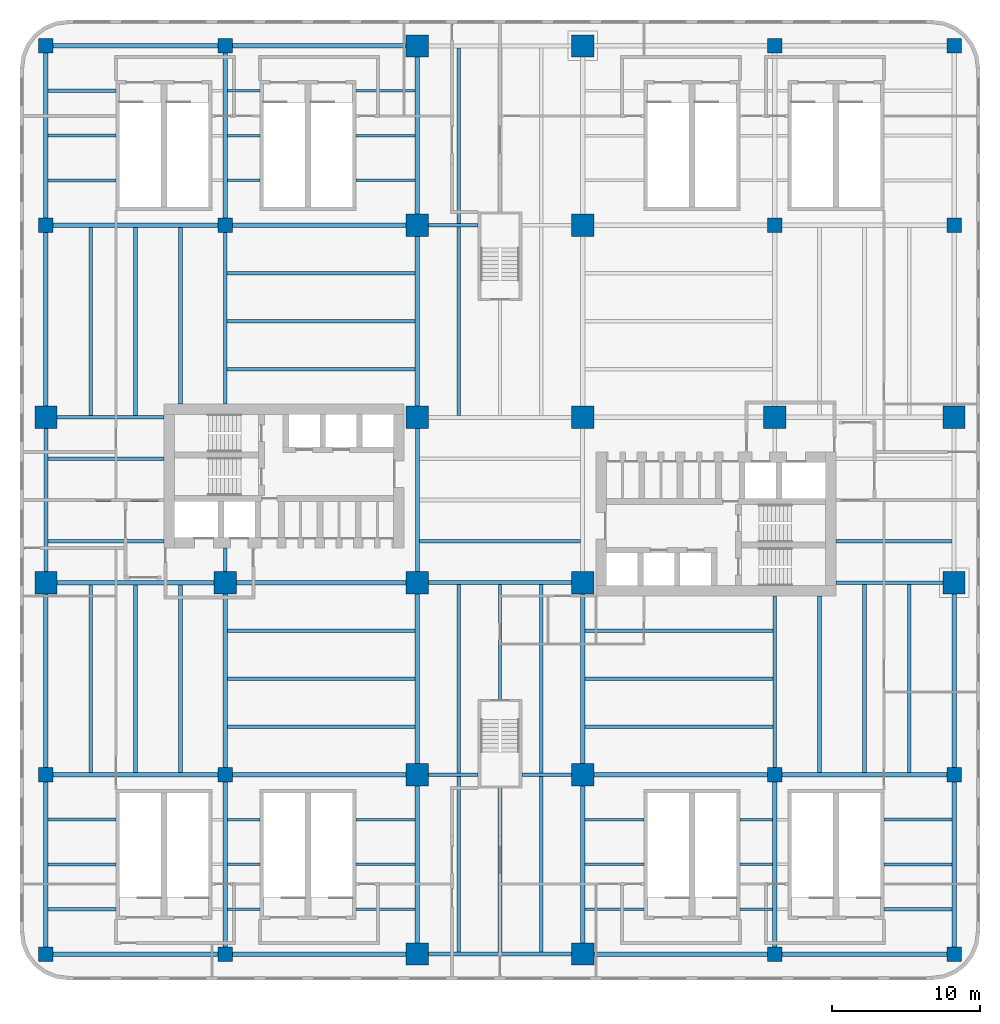
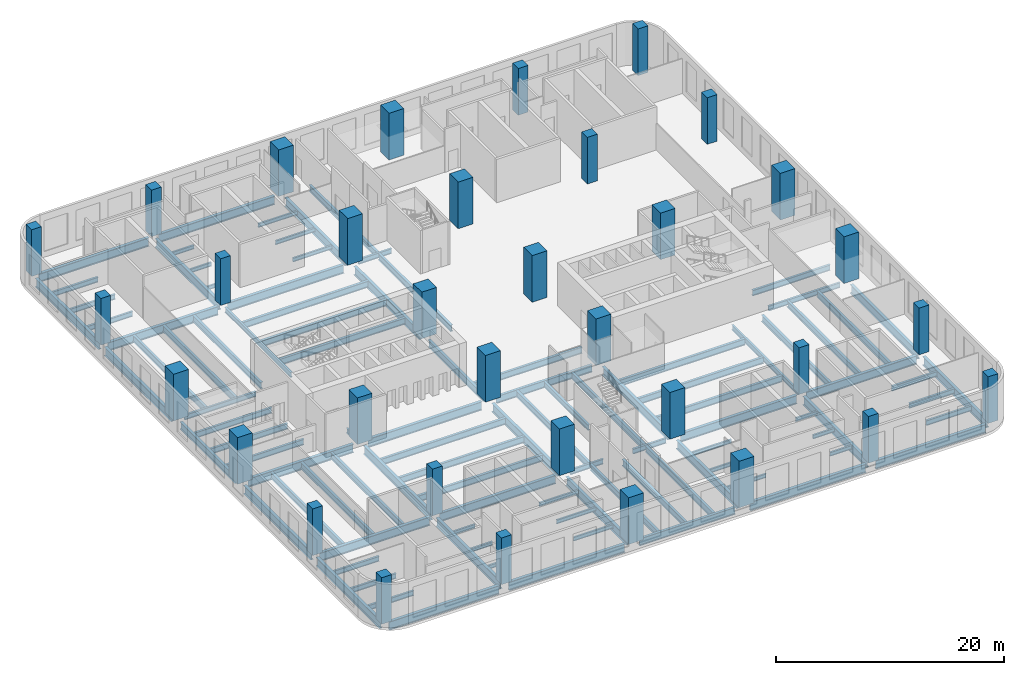
# One storey, part 1 of 13: 100 beams, 34 columns.
"""IFC4 building model written with IfcOpenShell, lengths in metres."""

from ifc_helpers import new_model, si_unit, direction, frame, origin, origin_2d, place, context, subcontext, project, spatial, rectangle, i_section, extrude, source, transform, mapped, material, material_profile, profile_set, type_object, element, save


model = new_model("IFC4")

# Units and contexts
model_context = context("Model", 3, precision=1e-05, world=origin(), true_north=direction((0.0, 1.0)))
body_context = subcontext(model_context, "Body", "Model", "MODEL_VIEW")
ifc_project = project(units=[si_unit("LENGTHUNIT", "METRE"), si_unit("AREAUNIT", "SQUARE_METRE"), si_unit("VOLUMEUNIT", "CUBIC_METRE"), si_unit("PLANEANGLEUNIT", "RADIAN"), si_unit("MASSUNIT", "GRAM", prefix="KILO")], contexts=[model_context])

# Site, building, storey
site_placement = place(None, origin())
site = spatial("IfcSite", under=ifc_project, at=site_placement, CompositionType="ELEMENT")
building_placement = place(site_placement, origin())
building = spatial("IfcBuilding", under=site, at=building_placement, Name="Trellis Farm Tower", CompositionType="ELEMENT")
storey_placement = place(building_placement, frame((0.0, 0.0, 29.0)))
storey = spatial("IfcBuildingStorey", under=building, at=storey_placement, Name="L05", CompositionType="ELEMENT", Elevation=29.0)

# Columns
ifc_material_1 = material(Name="Concrete C80/95", Category="concrete")
ifc_material_profile_1 = material_profile(ifc_material_1, rectangle(XDim=1.5, YDim=1.5, at=origin_2d()), Name="RC column 1500x1500 C80/95")
ifc_profile_set_1 = profile_set([ifc_material_profile_1], Name="Concrete C80/95")
column_type_1 = type_object("IfcColumnType", Name="RC column 1500x1500 C80/95", PredefinedType="COLUMN", material=ifc_profile_set_1)
shared_shape_1 = source(origin(), body_context, "Body", "SweptSolid", [
    extrude(rectangle(XDim=1.5, YDim=1.5, at=origin_2d()), origin(), (0.0, 0.0, 1.0), 5.0),
])
for number, where, z_axis, x_axis, name in (
    (1, (5.60009765625, 5.60009765625, 0.0), (0.0, 0.0, 1.0), (1.0, 0.0, 0.0), "Column"),
    (2, (5.60009765625, 18.60009765625, 0.0), (0.0, 0.0, 1.0), (1.0, 0.0, 0.0), "Column"),
    (3, (5.60009765625, 30.75, 0.0), (0.0, 0.0, 1.0), (1.0, 0.0, 0.0), "Column"),
    (4, (5.60009765625, -5.60009765625, 0.0), (0.0, 0.0, 1.0), (1.0, 0.0, 0.0), "Column"),
    (5, (5.60009765625, -18.60009765625, 0.0), (0.0, 0.0, 1.0), (1.0, 0.0, 0.0), "Column"),
    (6, (5.60009765625, -30.75, 0.0), (0.0, 0.0, 1.0), (1.0, 0.0, 0.0), "Column"),
    (7, (18.60009765625, 5.60009765625, 0.0), (0.0, 0.0, 1.0), (1.0, 0.0, 0.0), "Column"),
    (8, (30.75, 5.60009765625, 0.0), (0.0, 0.0, 1.0), (1.0, 0.0, 0.0), "Column"),
    (9, (30.75, -5.60009765625, 0.0), (0.0, 0.0, 1.0), (1.0, 0.0, 0.0), "Column"),
    (10, (-5.60009765625, 5.60009765625, 0.0), (0.0, 0.0, 1.0), (1.0, 0.0, 0.0), "Column"),
    (11, (-5.60009765625, 18.60009765625, 0.0), (0.0, 0.0, 1.0), (1.0, 0.0, 0.0), "Column"),
    (12, (-5.60009765625, 30.75, 0.0), (0.0, 0.0, 1.0), (1.0, 0.0, 0.0), "Column"),
    (13, (-5.60009765625, -5.60009765625, 0.0), (0.0, 0.0, 1.0), (1.0, 0.0, 0.0), "Column"),
    (14, (-5.60009765625, -18.60009765625, 0.0), (0.0, 0.0, 1.0), (1.0, 0.0, 0.0), "Column"),
    (15, (-5.60009765625, -30.75, 0.0), (0.0, 0.0, 1.0), (1.0, 0.0, 0.0), "Column"),
    (16, (-18.60009765625, -5.60009765625, 0.0), (0.0, 0.0, 1.0), (1.0, 0.0, 0.0), "Column"),
    (17, (-30.75, 5.60009765625, 0.0), (0.0, 0.0, 1.0), (1.0, 0.0, 0.0), "Column"),
    (18, (-30.75, -5.60009765625, 0.0), (0.0, 0.0, 1.0), (1.0, 0.0, 0.0), "Column"),
):
    element("IfcColumn", number, at=place(storey_placement, frame(where, z_axis=z_axis, x_axis=x_axis)), inside=storey, type_object=column_type_1, Name=name, PredefinedType="COLUMN", context=body_context, shape_type="MappedRepresentation", body=[
        mapped(shared_shape_1, transform((0.0, 0.0, 0.0))),
    ])
ifc_material_2 = material(Name="Concrete C60/75", Category="concrete")
ifc_material_profile_2 = material_profile(ifc_material_2, rectangle(XDim=1.0, YDim=1.0, at=origin_2d()), Name="RC column 1000x1000 C60/75")
ifc_profile_set_2 = profile_set([ifc_material_profile_2], Name="Concrete C60/75")
column_type_2 = type_object("IfcColumnType", Name="RC column 1000x1000 C60/75", PredefinedType="COLUMN", material=ifc_profile_set_2)
shared_shape_2 = source(origin(), body_context, "Body", "SweptSolid", [
    extrude(rectangle(XDim=1.0, YDim=1.0, at=origin_2d()), origin(), (0.0, 0.0, 1.0), 5.0),
])
for number, where, z_axis, x_axis, name in (
    (19, (18.60009765625, 18.60009765625, 0.0), (0.0, 0.0, 1.0), (1.0, 0.0, 0.0), "Column"),
    (20, (18.60009765625, 30.75, 0.0), (0.0, 0.0, 1.0), (1.0, 0.0, 0.0), "Column"),
    (21, (18.60009765625, -18.60009765625, 0.0), (0.0, 0.0, 1.0), (1.0, 0.0, 0.0), "Column"),
    (22, (18.60009765625, -30.75, 0.0), (0.0, 0.0, 1.0), (1.0, 0.0, 0.0), "Column"),
    (23, (30.75, 18.60009765625, 0.0), (0.0, 0.0, 1.0), (1.0, 0.0, 0.0), "Column"),
    (24, (30.75, 30.75, 0.0), (0.0, 0.0, 1.0), (1.0, 0.0, 0.0), "Column"),
    (25, (30.75, -18.60009765625, 0.0), (0.0, 0.0, 1.0), (1.0, 0.0, 0.0), "Column"),
    (26, (30.75, -30.75, 0.0), (0.0, 0.0, 1.0), (1.0, 0.0, 0.0), "Column"),
    (27, (-18.60009765625, 18.60009765625, 0.0), (0.0, 0.0, 1.0), (1.0, 0.0, 0.0), "Column"),
    (28, (-18.60009765625, 30.75, 0.0), (0.0, 0.0, 1.0), (1.0, 0.0, 0.0), "Column"),
    (29, (-18.60009765625, -18.60009765625, 0.0), (0.0, 0.0, 1.0), (1.0, 0.0, 0.0), "Column"),
    (30, (-18.60009765625, -30.75, 0.0), (0.0, 0.0, 1.0), (1.0, 0.0, 0.0), "Column"),
    (31, (-30.75, 18.60009765625, 0.0), (0.0, 0.0, 1.0), (1.0, 0.0, 0.0), "Column"),
    (32, (-30.75, 30.75, 0.0), (0.0, 0.0, 1.0), (1.0, 0.0, 0.0), "Column"),
    (33, (-30.75, -18.60009765625, 0.0), (0.0, 0.0, 1.0), (1.0, 0.0, 0.0), "Column"),
    (34, (-30.75, -30.75, 0.0), (0.0, 0.0, 1.0), (1.0, 0.0, 0.0), "Column"),
):
    element("IfcColumn", number, at=place(storey_placement, frame(where, z_axis=z_axis, x_axis=x_axis)), inside=storey, type_object=column_type_2, Name=name, PredefinedType="COLUMN", context=body_context, shape_type="MappedRepresentation", body=[
        mapped(shared_shape_2, transform((0.0, 0.0, 0.0))),
    ])

# Beams
ifc_material_3 = material(Name="Steel S355", Category="steel")
ifc_material_profile_3 = material_profile(ifc_material_3, i_section(OverallWidth=0.253662109375, OverallDepth=0.68359375, WebThickness=0.012451171875, FlangeThickness=0.021728515625, FilletRadius=0.01513671875, at=origin_2d()), Name="UB 686x254x140")
ifc_profile_set_3 = profile_set([ifc_material_profile_3], Name="Steel S355")
beam_type_1 = type_object("IfcBeamType", Name="UB 686x254x140 joist", PredefinedType="JOIST", material=ifc_profile_set_3)
shared_shape_3 = source(origin(), body_context, "Body", "SweptSolid", [
    extrude(i_section(OverallWidth=0.253662109375, OverallDepth=0.68359375, WebThickness=0.012451171875, FlangeThickness=0.021728515625, FilletRadius=0.01513671875, at=origin_2d()), origin(), (0.0, 0.0, 1.0), 12.694580078125),
])
for number, where, z_axis, x_axis, name in (
    (35, (-18.447265625, -15.35009765625, -0.641845703125), (1.0, 0.0, 0.0), (0.0, 1.0, 0.0), "Floor beam"),
    (36, (-18.447265625, -12.10009765625, -0.641845703125), (1.0, 0.0, 0.0), (0.0, 1.0, 0.0), "Floor beam"),
    (37, (-18.447265625, -8.85009765625, -0.641845703125), (1.0, 0.0, 0.0), (0.0, 1.0, 0.0), "Floor beam"),
    (38, (-27.71240234375, -18.447265625, -0.641845703125), (0.0, 1.0, 0.0), (-1.0, 0.0, 0.0), "Floor beam"),
    (39, (-24.675048828125, -18.447265625, -0.641845703125), (0.0, 1.0, 0.0), (-1.0, 0.0, 0.0), "Floor beam"),
    (40, (-21.637451171875, -18.447265625, -0.641845703125), (0.0, 1.0, 0.0), (-1.0, 0.0, 0.0), "Floor beam"),
):
    element("IfcBeam", number, at=place(storey_placement, frame(where, z_axis=z_axis, x_axis=x_axis)), inside=storey, type_object=beam_type_1, Name=name, PredefinedType="JOIST", context=body_context, shape_type="MappedRepresentation", body=[
        mapped(shared_shape_3, transform((0.0, 0.0, 0.0))),
    ])
ifc_material_profile_4 = material_profile(ifc_material_3, i_section(OverallWidth=0.2275390625, OverallDepth=0.6025390625, WebThickness=0.010498046875, FlangeThickness=0.014892578125, FilletRadius=0.0126953125, at=origin_2d()), Name="UB 610x229x101")
ifc_profile_set_4 = profile_set([ifc_material_profile_4], Name="Steel S355")
beam_type_2 = type_object("IfcBeamType", Name="UB 610x229x101 joist", PredefinedType="JOIST", material=ifc_profile_set_4)
shared_shape_4 = source(origin(), body_context, "Body", "SweptSolid", [
    extrude(i_section(OverallWidth=0.2275390625, OverallDepth=0.6025390625, WebThickness=0.010498046875, FlangeThickness=0.014892578125, FilletRadius=0.0126953125, at=origin_2d()), origin(), (0.0, 0.0, 1.0), 7.86669921875),
])
for number, where, z_axis, x_axis, name in (
    (41, (-30.61669921875, -2.800048828125, -0.601318359375), (1.0, 0.0, 0.0), (0.0, 1.0, 0.0), "Floor beam"),
    (42, (22.75, -2.800048828125, -0.601318359375), (1.0, 0.0, 0.0), (0.0, 1.0, 0.0), "Floor beam"),
    (43, (-30.61669921875, 0.0, -0.601318359375), (1.0, 0.0, 0.0), (0.0, 1.0, 0.0), "Floor beam"),
    (44, (-30.61669921875, 2.800048828125, -0.601318359375), (1.0, 0.0, 0.0), (0.0, 1.0, 0.0), "Floor beam"),
):
    element("IfcBeam", number, at=place(storey_placement, frame(where, z_axis=z_axis, x_axis=x_axis)), inside=storey, type_object=beam_type_2, Name=name, PredefinedType="JOIST", context=body_context, shape_type="MappedRepresentation", body=[
        mapped(shared_shape_4, transform((0.0, 0.0, 0.0))),
    ])
shared_shape_5 = source(origin(), body_context, "Body", "SweptSolid", [
    extrude(i_section(OverallWidth=0.253662109375, OverallDepth=0.68359375, WebThickness=0.012451171875, FlangeThickness=0.021728515625, FilletRadius=0.01513671875, at=origin_2d()), origin(), (0.0, 0.0, 1.0), 10.93310546875),
])
beam_1_placement = place(storey_placement, frame((-5.466552734375, -2.800048828125, -0.641845703125), z_axis=(1.0, 0.0, 0.0), x_axis=(0.0, 1.0, 0.0)))
element("IfcBeam", 45, at=beam_1_placement, inside=storey, type_object=beam_type_1, Name="Floor beam", PredefinedType="JOIST", context=body_context, shape_type="MappedRepresentation", body=[
    mapped(shared_shape_5, transform((0.0, 0.0, 0.0))),
])
shared_shape_6 = source(origin(), body_context, "Body", "SweptSolid", [
    extrude(i_section(OverallWidth=0.2275390625, OverallDepth=0.6025390625, WebThickness=0.010498046875, FlangeThickness=0.014892578125, FilletRadius=0.0126953125, at=origin_2d()), origin(), (0.0, 0.0, 1.0), 7.7666015625),
])
beam_2_placement = place(storey_placement, frame((0.0, -13.5, -0.601318359375), z_axis=(0.0, 1.0, 0.0), x_axis=(-1.0, 0.0, 0.0)))
element("IfcBeam", 46, at=beam_2_placement, inside=storey, type_object=beam_type_2, Name="Floor beam", PredefinedType="JOIST", context=body_context, shape_type="MappedRepresentation", body=[
    mapped(shared_shape_6, transform((0.0, 0.0, 0.0))),
])
shared_shape_7 = source(origin(), body_context, "Body", "SweptSolid", [
    extrude(i_section(OverallWidth=0.253662109375, OverallDepth=0.68359375, WebThickness=0.012451171875, FlangeThickness=0.021728515625, FilletRadius=0.01513671875, at=origin_2d()), origin(), (0.0, 0.0, 1.0), 11.11669921875),
])
beam_3_placement = place(storey_placement, frame((0.0, -30.61669921875, -0.641845703125), z_axis=(0.0, 1.0, 0.0), x_axis=(-1.0, 0.0, 0.0)))
element("IfcBeam", 47, at=beam_3_placement, inside=storey, type_object=beam_type_1, Name="Floor beam", PredefinedType="JOIST", context=body_context, shape_type="MappedRepresentation", body=[
    mapped(shared_shape_7, transform((0.0, 0.0, 0.0))),
])
ifc_material_profile_5 = material_profile(ifc_material_3, i_section(OverallWidth=0.177978515625, OverallDepth=0.406494140625, WebThickness=0.0078125, FlangeThickness=0.0126953125, FilletRadius=0.01025390625, at=origin_2d()), Name="UB 406x178x60")
ifc_profile_set_5 = profile_set([ifc_material_profile_5], Name="Steel S355")
beam_type_3 = type_object("IfcBeamType", Name="UB 406x178x60 joist", PredefinedType="JOIST", material=ifc_profile_set_5)
shared_shape_8 = source(origin(), body_context, "Body", "SweptSolid", [
    extrude(i_section(OverallWidth=0.177978515625, OverallDepth=0.406494140625, WebThickness=0.0078125, FlangeThickness=0.0126953125, FilletRadius=0.01025390625, at=origin_2d()), origin(), (0.0, 0.0, 1.0), 2.197265625),
])
for number, where, z_axis, x_axis, name in (
    (48, (-18.447265625, -27.71240234375, -0.503173828125), (1.0, 0.0, 0.0), (0.0, 1.0, 0.0), "Floor beam"),
    (49, (16.25, -27.71240234375, -0.503173828125), (1.0, 0.0, 0.0), (0.0, 1.0, 0.0), "Floor beam"),
    (50, (-18.447265625, -24.675048828125, -0.503173828125), (1.0, 0.0, 0.0), (0.0, 1.0, 0.0), "Floor beam"),
    (51, (16.25, -24.675048828125, -0.503173828125), (1.0, 0.0, 0.0), (0.0, 1.0, 0.0), "Floor beam"),
    (52, (-18.447265625, -21.637451171875, -0.503173828125), (1.0, 0.0, 0.0), (0.0, 1.0, 0.0), "Floor beam"),
    (53, (16.25, -21.637451171875, -0.503173828125), (1.0, 0.0, 0.0), (0.0, 1.0, 0.0), "Floor beam"),
    (54, (-18.447265625, 21.637451171875, -0.503173828125), (1.0, 0.0, 0.0), (0.0, 1.0, 0.0), "Floor beam"),
    (55, (-18.447265625, 24.675048828125, -0.503173828125), (1.0, 0.0, 0.0), (0.0, 1.0, 0.0), "Floor beam"),
    (56, (-18.447265625, 27.71240234375, -0.503173828125), (1.0, 0.0, 0.0), (0.0, 1.0, 0.0), "Floor beam"),
):
    element("IfcBeam", number, at=place(storey_placement, frame(where, z_axis=z_axis, x_axis=x_axis)), inside=storey, type_object=beam_type_3, Name=name, PredefinedType="JOIST", context=body_context, shape_type="MappedRepresentation", body=[
        mapped(shared_shape_8, transform((0.0, 0.0, 0.0))),
    ])
ifc_material_profile_6 = material_profile(ifc_material_3, i_section(OverallWidth=0.209228515625, OverallDepth=0.533203125, WebThickness=0.010009765625, FlangeThickness=0.015625, FilletRadius=0.0126953125, at=origin_2d()), Name="UB 533x210x92")
ifc_profile_set_6 = profile_set([ifc_material_profile_6], Name="Steel S355")
beam_type_4 = type_object("IfcBeamType", Name="UB 533x210x92 joist", PredefinedType="JOIST", material=ifc_profile_set_6)
shared_shape_9 = source(origin(), body_context, "Body", "SweptSolid", [
    extrude(i_section(OverallWidth=0.209228515625, OverallDepth=0.533203125, WebThickness=0.010009765625, FlangeThickness=0.015625, FilletRadius=0.0126953125, at=origin_2d()), origin(), (0.0, 0.0, 1.0), 4.59716796875),
])
for number, where, z_axis, x_axis, name in (
    (57, (-30.59716796875, -27.71240234375, -0.56640625), (1.0, 0.0, 0.0), (0.0, 1.0, 0.0), "Floor beam"),
    (58, (26.0, -27.71240234375, -0.56640625), (1.0, 0.0, 0.0), (0.0, 1.0, 0.0), "Floor beam"),
    (59, (-30.59716796875, -24.675048828125, -0.56640625), (1.0, 0.0, 0.0), (0.0, 1.0, 0.0), "Floor beam"),
    (60, (26.0, -24.675048828125, -0.56640625), (1.0, 0.0, 0.0), (0.0, 1.0, 0.0), "Floor beam"),
    (61, (-30.59716796875, -21.637451171875, -0.56640625), (1.0, 0.0, 0.0), (0.0, 1.0, 0.0), "Floor beam"),
    (62, (26.0, -21.637451171875, -0.56640625), (1.0, 0.0, 0.0), (0.0, 1.0, 0.0), "Floor beam"),
    (63, (-30.59716796875, 21.637451171875, -0.56640625), (1.0, 0.0, 0.0), (0.0, 1.0, 0.0), "Floor beam"),
    (64, (-30.59716796875, 24.675048828125, -0.56640625), (1.0, 0.0, 0.0), (0.0, 1.0, 0.0), "Floor beam"),
    (65, (-30.59716796875, 27.71240234375, -0.56640625), (1.0, 0.0, 0.0), (0.0, 1.0, 0.0), "Floor beam"),
):
    element("IfcBeam", number, at=place(storey_placement, frame(where, z_axis=z_axis, x_axis=x_axis)), inside=storey, type_object=beam_type_4, Name=name, PredefinedType="JOIST", context=body_context, shape_type="MappedRepresentation", body=[
        mapped(shared_shape_9, transform((0.0, 0.0, 0.0))),
    ])
shared_shape_10 = source(origin(), body_context, "Body", "SweptSolid", [
    extrude(i_section(OverallWidth=0.253662109375, OverallDepth=0.68359375, WebThickness=0.012451171875, FlangeThickness=0.021728515625, FilletRadius=0.01513671875, at=origin_2d()), origin(), (0.0, 0.0, 1.0), 12.74267578125),
])
for number, where, z_axis, x_axis, name in (
    (66, (5.752685546875, -15.35009765625, -0.641845703125), (1.0, 0.0, 0.0), (0.0, 1.0, 0.0), "Floor beam"),
    (67, (5.752685546875, -12.10009765625, -0.641845703125), (1.0, 0.0, 0.0), (0.0, 1.0, 0.0), "Floor beam"),
    (68, (5.752685546875, -8.85009765625, -0.641845703125), (1.0, 0.0, 0.0), (0.0, 1.0, 0.0), "Floor beam"),
    (69, (-18.495361328125, 8.85009765625, -0.641845703125), (1.0, 0.0, 0.0), (0.0, 1.0, 0.0), "Floor beam"),
    (70, (-18.495361328125, 12.10009765625, -0.641845703125), (1.0, 0.0, 0.0), (0.0, 1.0, 0.0), "Floor beam"),
    (71, (-18.495361328125, 15.35009765625, -0.641845703125), (1.0, 0.0, 0.0), (0.0, 1.0, 0.0), "Floor beam"),
    (72, (-27.71240234375, 5.70458984375, -0.641845703125), (0.0, 1.0, 0.0), (-1.0, 0.0, 0.0), "Floor beam"),
    (73, (-24.675048828125, 5.70458984375, -0.641845703125), (0.0, 1.0, 0.0), (-1.0, 0.0, 0.0), "Floor beam"),
    (74, (24.675048828125, -18.447265625, -0.641845703125), (0.0, 1.0, 0.0), (-1.0, 0.0, 0.0), "Floor beam"),
    (75, (27.71240234375, -18.447265625, -0.641845703125), (0.0, 1.0, 0.0), (-1.0, 0.0, 0.0), "Floor beam"),
):
    element("IfcBeam", number, at=place(storey_placement, frame(where, z_axis=z_axis, x_axis=x_axis)), inside=storey, type_object=beam_type_1, Name=name, PredefinedType="JOIST", context=body_context, shape_type="MappedRepresentation", body=[
        mapped(shared_shape_10, transform((0.0, 0.0, 0.0))),
    ])
shared_shape_11 = source(origin(), body_context, "Body", "SweptSolid", [
    extrude(i_section(OverallWidth=0.253662109375, OverallDepth=0.68359375, WebThickness=0.012451171875, FlangeThickness=0.021728515625, FilletRadius=0.01513671875, at=origin_2d()), origin(), (0.0, 0.0, 1.0), 12.761962890625),
])
for number, where, z_axis, x_axis, name in (
    (76, (-2.800048828125, -18.495361328125, -0.641845703125), (0.0, 1.0, 0.0), (-1.0, 0.0, 0.0), "Floor beam"),
    (77, (-2.800048828125, 5.7333984375, -0.641845703125), (0.0, 1.0, 0.0), (-1.0, 0.0, 0.0), "Floor beam"),
    (78, (2.800048828125, -18.495361328125, -0.641845703125), (0.0, 1.0, 0.0), (-1.0, 0.0, 0.0), "Floor beam"),
):
    element("IfcBeam", number, at=place(storey_placement, frame(where, z_axis=z_axis, x_axis=x_axis)), inside=storey, type_object=beam_type_1, Name=name, PredefinedType="JOIST", context=body_context, shape_type="MappedRepresentation", body=[
        mapped(shared_shape_11, transform((0.0, 0.0, 0.0))),
    ])
shared_shape_12 = source(origin(), body_context, "Body", "SweptSolid", [
    extrude(i_section(OverallWidth=0.253662109375, OverallDepth=0.68359375, WebThickness=0.012451171875, FlangeThickness=0.021728515625, FilletRadius=0.01513671875, at=origin_2d()), origin(), (0.0, 0.0, 1.0), 11.912109375),
])
for number, where, z_axis, x_axis, name in (
    (79, (-2.800048828125, -30.61669921875, -0.641845703125), (0.0, 1.0, 0.0), (-1.0, 0.0, 0.0), "Floor beam"),
    (80, (-2.800048828125, 18.70458984375, -0.641845703125), (0.0, 1.0, 0.0), (-1.0, 0.0, 0.0), "Floor beam"),
    (81, (2.800048828125, -30.61669921875, -0.641845703125), (0.0, 1.0, 0.0), (-1.0, 0.0, 0.0), "Floor beam"),
):
    element("IfcBeam", number, at=place(storey_placement, frame(where, z_axis=z_axis, x_axis=x_axis)), inside=storey, type_object=beam_type_1, Name=name, PredefinedType="JOIST", context=body_context, shape_type="MappedRepresentation", body=[
        mapped(shared_shape_12, transform((0.0, 0.0, 0.0))),
    ])
shared_shape_13 = source(origin(), body_context, "Body", "SweptSolid", [
    extrude(i_section(OverallWidth=0.253662109375, OverallDepth=0.68359375, WebThickness=0.012451171875, FlangeThickness=0.021728515625, FilletRadius=0.01513671875, at=origin_2d()), origin(), (0.0, 0.0, 1.0), 11.947265625),
])
for number, where, z_axis, x_axis, name in (
    (82, (-21.637451171875, 6.5, -0.641845703125), (0.0, 1.0, 0.0), (-1.0, 0.0, 0.0), "Floor beam"),
    (83, (21.637451171875, -18.447265625, -0.641845703125), (0.0, 1.0, 0.0), (-1.0, 0.0, 0.0), "Floor beam"),
):
    element("IfcBeam", number, at=place(storey_placement, frame(where, z_axis=z_axis, x_axis=x_axis)), inside=storey, type_object=beam_type_1, Name=name, PredefinedType="JOIST", context=body_context, shape_type="MappedRepresentation", body=[
        mapped(shared_shape_13, transform((0.0, 0.0, 0.0))),
    ])
ifc_material_profile_7 = material_profile(ifc_material_3, i_section(OverallWidth=0.209228515625, OverallDepth=0.533203125, WebThickness=0.010009765625, FlangeThickness=0.015625, FilletRadius=0.0126953125, at=origin_2d()), Name="UB 533x210x92")
ifc_profile_set_7 = profile_set([ifc_material_profile_7], Name="Steel S355")
beam_type_5 = type_object("IfcBeamType", Name="UB 533x210x92", PredefinedType="BEAM", material=ifc_profile_set_7)
shared_shape_14 = source(origin(), body_context, "Body", "SweptSolid", [
    extrude(i_section(OverallWidth=0.209228515625, OverallDepth=0.533203125, WebThickness=0.010009765625, FlangeThickness=0.015625, FilletRadius=0.0126953125, at=origin_2d()), origin(), (0.0, 0.0, 1.0), 3.35009765625),
])
for number, where, z_axis, x_axis, name in (
    (84, (-4.85009765625, -18.60009765625, -0.56640625), (1.0, 0.0, 0.0), (0.0, 1.0, 0.0), "Girder"),
    (85, (1.5, -18.60009765625, -0.56640625), (1.0, 0.0, 0.0), (0.0, 1.0, 0.0), "Girder"),
    (86, (-4.85009765625, 18.60009765625, -0.56640625), (1.0, 0.0, 0.0), (0.0, 1.0, 0.0), "Girder"),
):
    element("IfcBeam", number, at=place(storey_placement, frame(where, z_axis=z_axis, x_axis=x_axis)), inside=storey, type_object=beam_type_5, Name=name, PredefinedType="BEAM", context=body_context, shape_type="MappedRepresentation", body=[
        mapped(shared_shape_14, transform((0.0, 0.0, 0.0))),
    ])
ifc_material_profile_8 = material_profile(ifc_material_3, i_section(OverallWidth=0.2666015625, OverallDepth=0.76220703125, WebThickness=0.014404296875, FlangeThickness=0.021484375, FilletRadius=0.0166015625, at=origin_2d()), Name="UB 762x267x173")
ifc_profile_set_8 = profile_set([ifc_material_profile_8], Name="Steel S355")
beam_type_6 = type_object("IfcBeamType", Name="UB 762x267x173", PredefinedType="BEAM", material=ifc_profile_set_8)
shared_shape_15 = source(origin(), body_context, "Body", "SweptSolid", [
    extrude(i_section(OverallWidth=0.2666015625, OverallDepth=0.76220703125, WebThickness=0.014404296875, FlangeThickness=0.021484375, FilletRadius=0.0166015625, at=origin_2d()), origin(), (0.0, 0.0, 1.0), 9.7001953125),
])
for number, where, z_axis, x_axis, name in (
    (87, (-4.85009765625, -30.75, -0.68115234375), (1.0, 0.0, 0.0), (0.0, 1.0, 0.0), "Girder"),
    (88, (-4.85009765625, -5.60009765625, -0.68115234375), (1.0, 0.0, 0.0), (0.0, 1.0, 0.0), "Girder"),
    (89, (-30.75, -4.85009765625, -0.68115234375), (0.0, 1.0, 0.0), (-1.0, 0.0, 0.0), "Girder"),
    (90, (-5.60009765625, -4.85009765625, -0.68115234375), (0.0, 1.0, 0.0), (-1.0, 0.0, 0.0), "Girder"),
):
    element("IfcBeam", number, at=place(storey_placement, frame(where, z_axis=z_axis, x_axis=x_axis)), inside=storey, type_object=beam_type_6, Name=name, PredefinedType="BEAM", context=body_context, shape_type="MappedRepresentation", body=[
        mapped(shared_shape_15, transform((0.0, 0.0, 0.0))),
    ])
shared_shape_16 = source(origin(), body_context, "Body", "SweptSolid", [
    extrude(i_section(OverallWidth=0.209228515625, OverallDepth=0.533203125, WebThickness=0.010009765625, FlangeThickness=0.015625, FilletRadius=0.0126953125, at=origin_2d()), origin(), (0.0, 0.0, 1.0), 7.25),
])
for number, where, z_axis, x_axis, name in (
    (91, (22.75, -5.60009765625, -0.56640625), (1.0, 0.0, 0.0), (0.0, 1.0, 0.0), "Girder"),
    (92, (-30.0, 5.60009765625, -0.56640625), (1.0, 0.0, 0.0), (0.0, 1.0, 0.0), "Girder"),
):
    element("IfcBeam", number, at=place(storey_placement, frame(where, z_axis=z_axis, x_axis=x_axis)), inside=storey, type_object=beam_type_5, Name=name, PredefinedType="BEAM", context=body_context, shape_type="MappedRepresentation", body=[
        mapped(shared_shape_16, transform((0.0, 0.0, 0.0))),
    ])
ifc_material_profile_9 = material_profile(ifc_material_3, i_section(OverallWidth=0.305419921875, OverallDepth=0.91845703125, WebThickness=0.017333984375, FlangeThickness=0.02783203125, FilletRadius=0.01904296875, at=origin_2d()), Name="UB 914x305x253")
ifc_profile_set_9 = profile_set([ifc_material_profile_9], Name="Steel S355")
beam_type_7 = type_object("IfcBeamType", Name="UB 914x305x253", PredefinedType="BEAM", material=ifc_profile_set_9)
shared_shape_17 = source(origin(), body_context, "Body", "SweptSolid", [
    extrude(i_section(OverallWidth=0.305419921875, OverallDepth=0.91845703125, WebThickness=0.017333984375, FlangeThickness=0.02783203125, FilletRadius=0.01904296875, at=origin_2d()), origin(), (0.0, 0.0, 1.0), 11.5),
])
for number, where, z_axis, x_axis, name in (
    (93, (-17.85009765625, -5.60009765625, -0.75927734375), (1.0, 0.0, 0.0), (0.0, 1.0, 0.0), "Girder"),
    (94, (-5.60009765625, -17.85009765625, -0.75927734375), (0.0, 1.0, 0.0), (-1.0, 0.0, 0.0), "Girder"),
    (95, (-5.60009765625, 6.35009765625, -0.75927734375), (0.0, 1.0, 0.0), (-1.0, 0.0, 0.0), "Girder"),
    (96, (5.60009765625, -17.85009765625, -0.75927734375), (0.0, 1.0, 0.0), (-1.0, 0.0, 0.0), "Girder"),
):
    element("IfcBeam", number, at=place(storey_placement, frame(where, z_axis=z_axis, x_axis=x_axis)), inside=storey, type_object=beam_type_7, Name=name, PredefinedType="BEAM", context=body_context, shape_type="MappedRepresentation", body=[
        mapped(shared_shape_17, transform((0.0, 0.0, 0.0))),
    ])
shared_shape_18 = source(origin(), body_context, "Body", "SweptSolid", [
    extrude(i_section(OverallWidth=0.305419921875, OverallDepth=0.91845703125, WebThickness=0.017333984375, FlangeThickness=0.02783203125, FilletRadius=0.01904296875, at=origin_2d()), origin(), (0.0, 0.0, 1.0), 10.64990234375),
])
for number, where, z_axis, x_axis, name in (
    (97, (-30.0, -5.60009765625, -0.75927734375), (1.0, 0.0, 0.0), (0.0, 1.0, 0.0), "Girder"),
    (98, (-5.60009765625, -30.0, -0.75927734375), (0.0, 1.0, 0.0), (-1.0, 0.0, 0.0), "Girder"),
    (99, (-5.60009765625, 19.35009765625, -0.75927734375), (0.0, 1.0, 0.0), (-1.0, 0.0, 0.0), "Girder"),
    (100, (5.60009765625, -30.0, -0.75927734375), (0.0, 1.0, 0.0), (-1.0, 0.0, 0.0), "Girder"),
):
    element("IfcBeam", number, at=place(storey_placement, frame(where, z_axis=z_axis, x_axis=x_axis)), inside=storey, type_object=beam_type_7, Name=name, PredefinedType="BEAM", context=body_context, shape_type="MappedRepresentation", body=[
        mapped(shared_shape_18, transform((0.0, 0.0, 0.0))),
    ])
shared_shape_19 = source(origin(), body_context, "Body", "SweptSolid", [
    extrude(i_section(OverallWidth=0.209228515625, OverallDepth=0.533203125, WebThickness=0.010009765625, FlangeThickness=0.015625, FilletRadius=0.0126953125, at=origin_2d()), origin(), (0.0, 0.0, 1.0), 1.60009765625),
])
beam_4_placement = place(storey_placement, frame((-18.60009765625, -4.85009765625, -0.56640625), z_axis=(0.0, 1.0, 0.0), x_axis=(-1.0, 0.0, 0.0)))
element("IfcBeam", 101, at=beam_4_placement, inside=storey, type_object=beam_type_5, Name="Girder", PredefinedType="BEAM", context=body_context, shape_type="MappedRepresentation", body=[
    mapped(shared_shape_19, transform((0.0, 0.0, 0.0))),
])
shared_shape_20 = source(origin(), body_context, "Body", "SweptSolid", [
    extrude(i_section(OverallWidth=0.177978515625, OverallDepth=0.406494140625, WebThickness=0.0078125, FlangeThickness=0.0126953125, FilletRadius=0.01025390625, at=origin_2d()), origin(), (0.0, 0.0, 1.0), 3.997314453125),
])
for number, where, z_axis, x_axis, name in (
    (102, (-9.75, -27.71240234375, -0.503173828125), (1.0, 0.0, 0.0), (0.0, 1.0, 0.0), "Floor beam"),
    (103, (5.752685546875, -27.71240234375, -0.503173828125), (1.0, 0.0, 0.0), (0.0, 1.0, 0.0), "Floor beam"),
    (104, (-9.75, -24.675048828125, -0.503173828125), (1.0, 0.0, 0.0), (0.0, 1.0, 0.0), "Floor beam"),
    (105, (5.752685546875, -24.675048828125, -0.503173828125), (1.0, 0.0, 0.0), (0.0, 1.0, 0.0), "Floor beam"),
    (106, (-9.75, -21.637451171875, -0.503173828125), (1.0, 0.0, 0.0), (0.0, 1.0, 0.0), "Floor beam"),
    (107, (5.752685546875, -21.637451171875, -0.503173828125), (1.0, 0.0, 0.0), (0.0, 1.0, 0.0), "Floor beam"),
    (108, (-9.75, 21.637451171875, -0.503173828125), (1.0, 0.0, 0.0), (0.0, 1.0, 0.0), "Floor beam"),
    (109, (-9.75, 24.675048828125, -0.503173828125), (1.0, 0.0, 0.0), (0.0, 1.0, 0.0), "Floor beam"),
    (110, (-9.75, 27.71240234375, -0.503173828125), (1.0, 0.0, 0.0), (0.0, 1.0, 0.0), "Floor beam"),
):
    element("IfcBeam", number, at=place(storey_placement, frame(where, z_axis=z_axis, x_axis=x_axis)), inside=storey, type_object=beam_type_3, Name=name, PredefinedType="JOIST", context=body_context, shape_type="MappedRepresentation", body=[
        mapped(shared_shape_20, transform((0.0, 0.0, 0.0))),
    ])
shared_shape_21 = source(origin(), body_context, "Body", "SweptSolid", [
    extrude(i_section(OverallWidth=0.305419921875, OverallDepth=0.91845703125, WebThickness=0.017333984375, FlangeThickness=0.02783203125, FilletRadius=0.01904296875, at=origin_2d()), origin(), (0.0, 0.0, 1.0), 11.75),
])
for number, where, z_axis, x_axis, name in (
    (111, (-18.10009765625, -30.75, -0.75927734375), (1.0, 0.0, 0.0), (0.0, 1.0, 0.0), "Girder"),
    (112, (6.35009765625, -30.75, -0.75927734375), (1.0, 0.0, 0.0), (0.0, 1.0, 0.0), "Girder"),
    (113, (-18.10009765625, -18.60009765625, -0.75927734375), (1.0, 0.0, 0.0), (0.0, 1.0, 0.0), "Girder"),
    (114, (6.35009765625, -18.60009765625, -0.75927734375), (1.0, 0.0, 0.0), (0.0, 1.0, 0.0), "Girder"),
    (115, (-18.10009765625, 18.60009765625, -0.75927734375), (1.0, 0.0, 0.0), (0.0, 1.0, 0.0), "Girder"),
    (116, (-18.10009765625, 30.75, -0.75927734375), (1.0, 0.0, 0.0), (0.0, 1.0, 0.0), "Girder"),
    (117, (-30.75, -18.10009765625, -0.75927734375), (0.0, 1.0, 0.0), (-1.0, 0.0, 0.0), "Girder"),
    (118, (-30.75, 6.35009765625, -0.75927734375), (0.0, 1.0, 0.0), (-1.0, 0.0, 0.0), "Girder"),
    (119, (-18.60009765625, -18.10009765625, -0.75927734375), (0.0, 1.0, 0.0), (-1.0, 0.0, 0.0), "Girder"),
    (120, (30.75, -18.10009765625, -0.75927734375), (0.0, 1.0, 0.0), (-1.0, 0.0, 0.0), "Girder"),
):
    element("IfcBeam", number, at=place(storey_placement, frame(where, z_axis=z_axis, x_axis=x_axis)), inside=storey, type_object=beam_type_7, Name=name, PredefinedType="BEAM", context=body_context, shape_type="MappedRepresentation", body=[
        mapped(shared_shape_21, transform((0.0, 0.0, 0.0))),
    ])
shared_shape_22 = source(origin(), body_context, "Body", "SweptSolid", [
    extrude(i_section(OverallWidth=0.305419921875, OverallDepth=0.91845703125, WebThickness=0.017333984375, FlangeThickness=0.02783203125, FilletRadius=0.01904296875, at=origin_2d()), origin(), (0.0, 0.0, 1.0), 11.14990234375),
])
for number, where, z_axis, x_axis, name in (
    (121, (-30.25, -30.75, -0.75927734375), (1.0, 0.0, 0.0), (0.0, 1.0, 0.0), "Girder"),
    (122, (19.10009765625, -30.75, -0.75927734375), (1.0, 0.0, 0.0), (0.0, 1.0, 0.0), "Girder"),
    (123, (-30.25, -18.60009765625, -0.75927734375), (1.0, 0.0, 0.0), (0.0, 1.0, 0.0), "Girder"),
    (124, (19.10009765625, -18.60009765625, -0.75927734375), (1.0, 0.0, 0.0), (0.0, 1.0, 0.0), "Girder"),
    (125, (-30.25, 18.60009765625, -0.75927734375), (1.0, 0.0, 0.0), (0.0, 1.0, 0.0), "Girder"),
    (126, (-30.25, 30.75, -0.75927734375), (1.0, 0.0, 0.0), (0.0, 1.0, 0.0), "Girder"),
    (127, (-30.75, -30.25, -0.75927734375), (0.0, 1.0, 0.0), (-1.0, 0.0, 0.0), "Girder"),
    (128, (-30.75, 19.10009765625, -0.75927734375), (0.0, 1.0, 0.0), (-1.0, 0.0, 0.0), "Girder"),
    (129, (-18.60009765625, -30.25, -0.75927734375), (0.0, 1.0, 0.0), (-1.0, 0.0, 0.0), "Girder"),
    (130, (-18.60009765625, 19.10009765625, -0.75927734375), (0.0, 1.0, 0.0), (-1.0, 0.0, 0.0), "Girder"),
    (131, (18.60009765625, -30.25, -0.75927734375), (0.0, 1.0, 0.0), (-1.0, 0.0, 0.0), "Girder"),
    (132, (30.75, -30.25, -0.75927734375), (0.0, 1.0, 0.0), (-1.0, 0.0, 0.0), "Girder"),
):
    element("IfcBeam", number, at=place(storey_placement, frame(where, z_axis=z_axis, x_axis=x_axis)), inside=storey, type_object=beam_type_7, Name=name, PredefinedType="BEAM", context=body_context, shape_type="MappedRepresentation", body=[
        mapped(shared_shape_22, transform((0.0, 0.0, 0.0))),
    ])
shared_shape_23 = source(origin(), body_context, "Body", "SweptSolid", [
    extrude(i_section(OverallWidth=0.209228515625, OverallDepth=0.533203125, WebThickness=0.010009765625, FlangeThickness=0.015625, FilletRadius=0.0126953125, at=origin_2d()), origin(), (0.0, 0.0, 1.0), 11.60009765625),
])
for number, where, z_axis, x_axis, name in (
    (133, (-18.60009765625, 6.5, -0.56640625), (0.0, 1.0, 0.0), (-1.0, 0.0, 0.0), "Girder"),
    (134, (18.60009765625, -18.10009765625, -0.56640625), (0.0, 1.0, 0.0), (-1.0, 0.0, 0.0), "Girder"),
):
    element("IfcBeam", number, at=place(storey_placement, frame(where, z_axis=z_axis, x_axis=x_axis)), inside=storey, type_object=beam_type_5, Name=name, PredefinedType="BEAM", context=body_context, shape_type="MappedRepresentation", body=[
        mapped(shared_shape_23, transform((0.0, 0.0, 0.0))),
    ])

save(model, "model.ifc")
